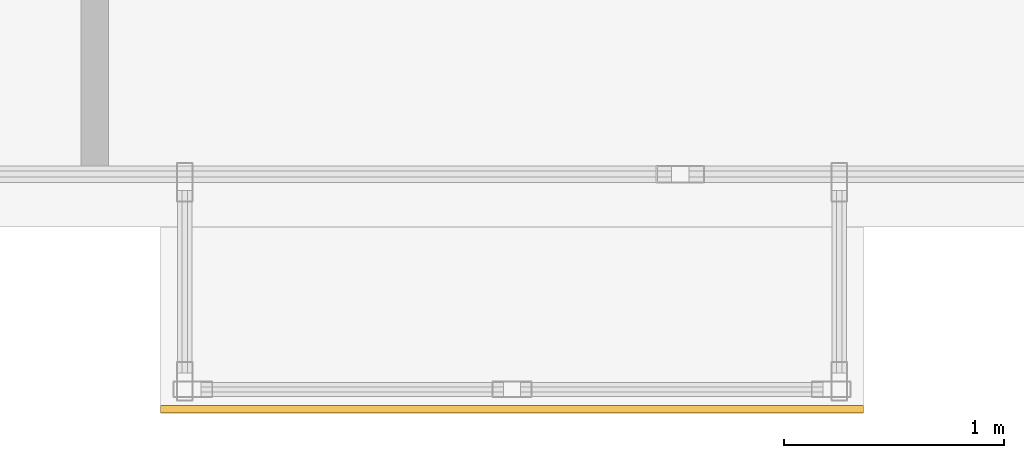
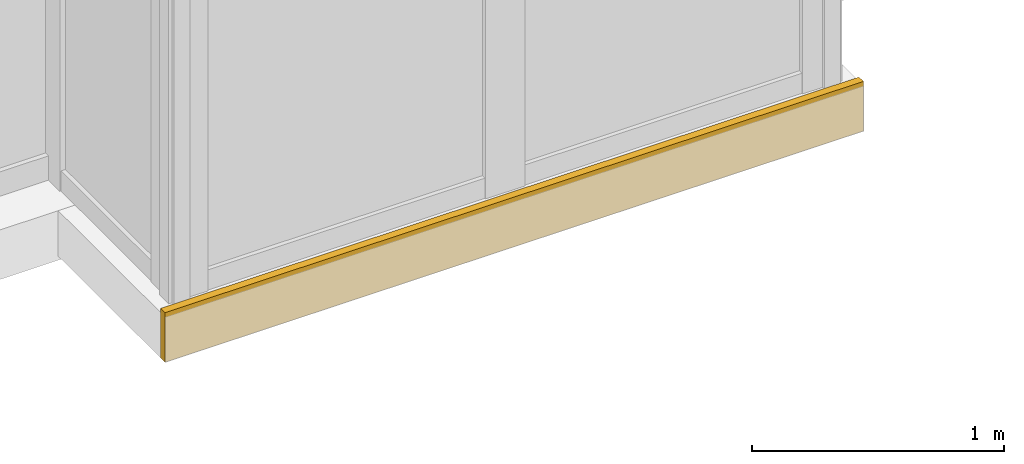
# One storey, part 22 of 23: 1 covering.
"""IFC4 building model written with IfcOpenShell, lengths in metres."""

import ifcopenshell
import ifcopenshell.guid

model = None  # the IFC model being written
_history = None  # IfcOwnerHistory: only IFC2X3 demands one
_inside = {}  # id of a spatial element -> (the spatial element, [elements in it])
_under = {}  # id of a project, library or spatial element -> (it, [spatial elements below it])
_declared = {}  # id of a project -> (the project, [libraries it declares])
_typed = {}  # id of a type object -> (the type object, [elements of that type])
_made_of = {}  # id of a material, layer set ... -> (it, [elements and type objects made of it])


def new_model(schema):
    """Start an empty IFC model of exactly this schema.

    Asked for "IFC4X3", IfcOpenShell would pick the latest addendum, in which some entities
    have other attributes; the version numbers below select the first issue.
    IFC2X3 requires an IfcOwnerHistory on every rooted entity: one is made here for all.
    """
    global model, _history
    if schema == "IFC4X3":
        model = ifcopenshell.file(schema_version=(4, 3, 0, 0))
    else:
        model = ifcopenshell.file(schema=schema)
    _inside.clear()
    _under.clear()
    _declared.clear()
    _typed.clear()
    _made_of.clear()
    _history = None
    if model.schema == "IFC2X3":
        org = make("IfcOrganization", Name="unknown")
        user = make(
            "IfcPersonAndOrganization",
            ThePerson=make("IfcPerson", FamilyName="unknown"),
            TheOrganization=org,
        )
        app = make(
            "IfcApplication",
            ApplicationDeveloper=org,
            Version="unknown",
            ApplicationFullName="unknown",
            ApplicationIdentifier="unknown",
        )
        _history = make(
            "IfcOwnerHistory",
            OwningUser=user,
            OwningApplication=app,
            ChangeAction="ADDED",
            CreationDate=0,
        )
    return model


def make(cls, **values):
    """One entity of the class cls with the attributes given. An attribute that is None is left unset."""
    return model.create_entity(
        cls, **{name: value for name, value in values.items() if value is not None}
    )


def rooted(cls, **values):
    """An entity with a GlobalId (a new one), such as an element, a storey or a relation."""
    return make(cls, GlobalId=ifcopenshell.guid.new(), OwnerHistory=_history, **values)


def si_unit(unit_type, name, prefix=None):
    """IfcSIUnit, for example si_unit("LENGTHUNIT", "METRE", prefix="MILLI")."""
    return make("IfcSIUnit", UnitType=unit_type, Prefix=prefix, Name=name)


def assignment(units):
    """IfcUnitAssignment: the units of a project."""
    return None if units is None else make("IfcUnitAssignment", Units=units)


def point(xyz):
    """IfcCartesianPoint."""
    return None if xyz is None else make("IfcCartesianPoint", Coordinates=xyz)


def direction(xyz):
    """IfcDirection."""
    return None if xyz is None else make("IfcDirection", DirectionRatios=xyz)


def frame(location, z_axis=None, x_axis=None):
    """IfcAxis2Placement3D, a coordinate frame: its origin and axes. An axis left out is left unset."""
    return make(
        "IfcAxis2Placement3D",
        Location=point(location),
        Axis=direction(z_axis),
        RefDirection=direction(x_axis),
    )


def frame_2d(location, x_axis=None):
    """IfcAxis2Placement2D, a coordinate frame in the plane: its origin and x axis."""
    return make(
        "IfcAxis2Placement2D", Location=point(location), RefDirection=direction(x_axis)
    )


def origin():
    """The frame at (0, 0, 0) with its axes left unset."""
    return frame((0.0, 0.0, 0.0))


def origin_2d():
    """The frame at (0, 0) in the plane with its x axis left unset."""
    return frame_2d((0.0, 0.0))


def place(relative_to, where):
    """IfcLocalPlacement: puts the frame where relative to a parent placement (None: the world)."""
    return make(
        "IfcLocalPlacement", PlacementRelTo=relative_to, RelativePlacement=where
    )


def context(
    kind, dimensions, precision=None, world=None, true_north=None, identifier=None
):
    """IfcGeometricRepresentationContext, for example the 3D "Model" context."""
    return make(
        "IfcGeometricRepresentationContext",
        ContextIdentifier=identifier,
        ContextType=kind,
        CoordinateSpaceDimension=dimensions,
        Precision=precision,
        WorldCoordinateSystem=world,
        TrueNorth=true_north,
    )


def subcontext(parent, identifier, kind, view, scale=None):
    """IfcGeometricRepresentationSubContext, for example "Body" below "Model"."""
    return make(
        "IfcGeometricRepresentationSubContext",
        ContextIdentifier=identifier,
        ContextType=kind,
        ParentContext=parent,
        TargetScale=scale,
        TargetView=view,
    )


def project(units=None, contexts=None):
    """IfcProject with its units and contexts."""
    return rooted(
        "IfcProject",
        Name="project",
        RepresentationContexts=contexts,
        UnitsInContext=assignment(units),
    )


def spatial(cls, under=None, at=None, **own):
    """A site, building, storey or space (cls), placed at a placement, below another one or the project."""
    s = rooted(cls, ObjectPlacement=at, **own)
    if under is not None:
        _under.setdefault(under.id(), (under, []))[1].append(s)
    return s


def profile(cls, at=None, kind="AREA", **sizes):
    """A parametric profile (cls). Its sizes go by their IFC names, for example OverallWidth=200.0."""
    return make(cls, ProfileType=kind, Position=at, **sizes)


def rectangle(**sizes):
    """IfcRectangleProfileDef."""
    return profile("IfcRectangleProfileDef", **sizes)


def extrude(swept, where, along, depth):
    """IfcExtrudedAreaSolid: the profile swept, set in the frame where, extruded along a direction by depth."""
    return make(
        "IfcExtrudedAreaSolid",
        SweptArea=swept,
        Position=where,
        ExtrudedDirection=direction(along),
        Depth=depth,
    )


def shape(context_of_items, identifier, shape_type, items):
    """IfcShapeRepresentation: the items that make up one representation, for example the "Body"."""
    return make(
        "IfcShapeRepresentation",
        ContextOfItems=context_of_items,
        RepresentationIdentifier=identifier,
        RepresentationType=shape_type,
        Items=items,
    )


def material(Name=None, Category=None):
    """IfcMaterial."""
    return make("IfcMaterial", Name=Name, Category=Category)


def layer(
    of_material, thickness, ventilated=None, Name=None, Category=None, Priority=None
):
    """IfcMaterialLayer: one layer of a wall or slab, of a material (None: an air gap)."""
    return make(
        "IfcMaterialLayer",
        Material=of_material,
        LayerThickness=thickness,
        IsVentilated=ventilated,
        Name=Name,
        Category=Category,
        Priority=Priority,
    )


def layer_set(layers, Name=None):
    """IfcMaterialLayerSet."""
    return make("IfcMaterialLayerSet", MaterialLayers=layers, LayerSetName=Name)


def made_of(thing, what):
    """Note that an element or type object is made of a material, layer set ...; save() writes the relation."""
    if what is not None:
        _made_of.setdefault(what.id(), (what, []))[1].append(thing)
    return thing


def type_object(cls, material=None, **own):
    """A type object (cls), such as IfcWallType, which elements share."""
    return made_of(rooted(cls, **own), material)


def element(
    cls,
    number,
    at=None,
    inside=None,
    cuts=None,
    type_object=None,
    material=None,
    context=None,
    identifier="Body",
    shape_type=None,
    held_by="IfcProductDefinitionShape",
    body=None,
    shapes=None,
    **own,
):
    """One element of the class cls, such as IfcWall. Its Tag is "e" and its number.

    at: its placement. inside: the storey or other place that contains it. cuts: it is an
    opening in that element (IfcRelVoidsElement). A single representation is given by context,
    identifier, shape_type and body (its items); several are given by shapes. held_by: the class
    of the entity that holds the representations. save() writes the other relations.
    """
    e = rooted(cls, Tag="e%d" % number, ObjectPlacement=at, **own)
    if body is not None:
        shapes = [shape(context, identifier, shape_type, body)]
    if shapes is not None:
        e.Representation = make(held_by, Representations=shapes)
    if inside is not None:
        _inside.setdefault(inside.id(), (inside, []))[1].append(e)
    if cuts is not None:
        rooted(
            "IfcRelVoidsElement", RelatingBuildingElement=cuts, RelatedOpeningElement=e
        )
    if type_object is not None:
        _typed.setdefault(type_object.id(), (type_object, []))[1].append(e)
    return made_of(e, material)


def aggregate(whole, parts):
    """IfcRelAggregates: a whole, such as a stair, and the parts it consists of."""
    return rooted("IfcRelAggregates", RelatingObject=whole, RelatedObjects=parts)


def save(model, path):
    """Write the relations noted so far, then the file.

    IfcRelAggregates (storeys below a building ...), IfcRelContainedInSpatialStructure (elements
    in a storey), IfcRelDefinesByType, IfcRelAssociatesMaterial and IfcRelDeclares: one each for
    every whole, place, type object, material and project.
    """
    for whole, parts in _under.values():
        aggregate(whole, parts)
    for where, things in _inside.values():
        rooted(
            "IfcRelContainedInSpatialStructure",
            RelatedElements=things,
            RelatingStructure=where,
        )
    for kind, things in _typed.values():
        rooted("IfcRelDefinesByType", RelatedObjects=things, RelatingType=kind)
    for what, things in _made_of.values():
        rooted("IfcRelAssociatesMaterial", RelatedObjects=things, RelatingMaterial=what)
    for by, libraries in _declared.values():
        rooted("IfcRelDeclares", RelatingContext=by, RelatedDefinitions=libraries)
    model.write(path)


model = new_model("IFC4")

# Units and contexts
model_context = context("Model", 3, precision=1e-05, world=origin(), true_north=direction((0.0, 1.0)))
body_context = subcontext(model_context, "Body", "Model", "MODEL_VIEW")
ifc_project = project(units=[si_unit("LENGTHUNIT", "METRE"), si_unit("AREAUNIT", "SQUARE_METRE"), si_unit("VOLUMEUNIT", "CUBIC_METRE"), si_unit("PLANEANGLEUNIT", "RADIAN"), si_unit("MASSUNIT", "GRAM", prefix="KILO")], contexts=[model_context])

# Site, building, storey
site_placement = place(None, origin())
site = spatial("IfcSite", under=ifc_project, at=site_placement, CompositionType="ELEMENT")
building_placement = place(site_placement, origin())
building = spatial("IfcBuilding", under=site, at=building_placement, Name="Kolvaren Waterfront Exchange", CompositionType="ELEMENT")
storey_placement = place(building_placement, frame((0.0, 0.0, 212.10009765625)))
storey = spatial("IfcBuildingStorey", under=building, at=storey_placement, Name="L54", CompositionType="ELEMENT", Elevation=212.10009765625)

# Covering
ifc_material = material(Name="Anodised bronze fascia aluminium", Category="aluminium")
ifc_layer = layer(ifc_material, 0.034912109375, Name="Anodised bronze fascia aluminium")
ifc_layer_set = layer_set([ifc_layer], Name="Anodised bronze fascia aluminium")
covering_type = type_object("IfcCoveringType", Name="ARC-CLAD-BRONZE-35", PredefinedType="CLADDING", material=ifc_layer_set)
covering_placement = place(storey_placement, frame((40.5, 2.77001953125, -0.22021484375), z_axis=(0.0, 0.0, 1.0), x_axis=(1.0, 0.0, 0.0)))
element("IfcCovering", 1, at=covering_placement, inside=storey, type_object=covering_type, Name="L54 ribbed anodised bronze bay-box fascia", PredefinedType="CLADDING", context=body_context, shape_type="SweptSolid", body=[
    extrude(rectangle(XDim=3.199951171875, YDim=0.034912109375, at=origin_2d()), origin(), (0.0, 0.0, 1.0), 0.239990234375),
])

save(model, "model.ifc")
